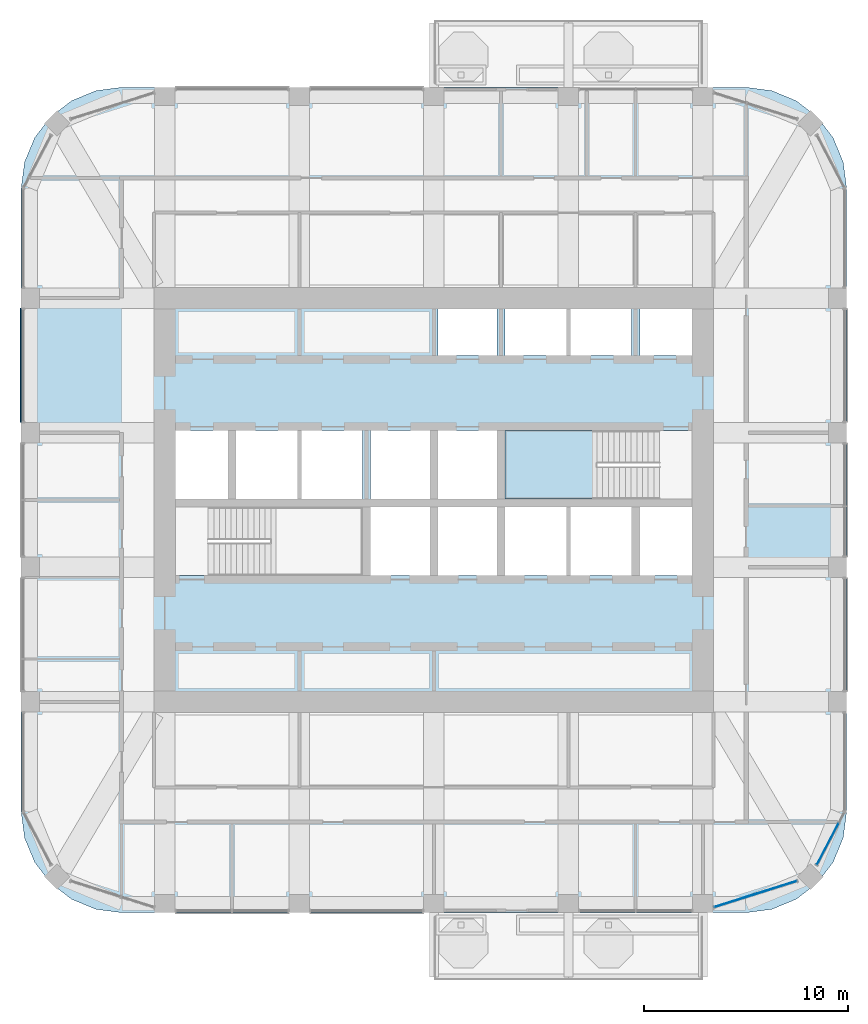
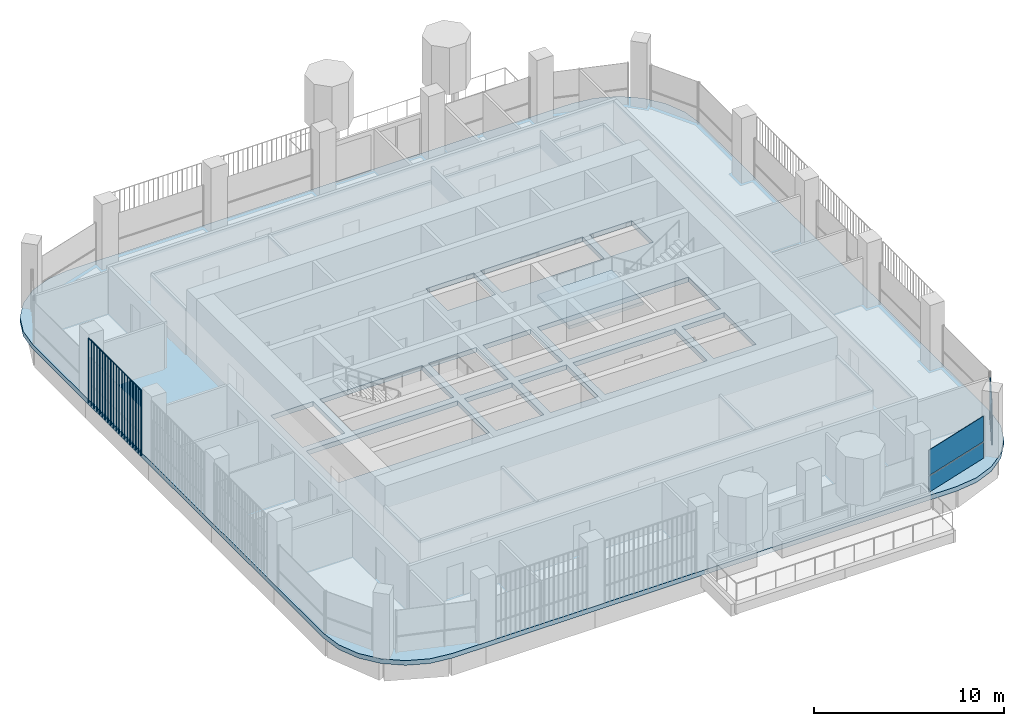
# One storey, part 10 of 21: 5 plates, 2 slabs, 3 elements without a shape of their own.
"""IFC4 building model written with IfcOpenShell, lengths in metres."""

from ifc_helpers import new_model, si_unit, direction, frame, origin, origin_2d, place, context, subcontext, project, spatial, polyline, rectangle, outline, extrude, material, layer, layer_set, type_object, element, aggregate, save


model = new_model("IFC4")

# Units and contexts
model_context = context("Model", 3, precision=1e-05, world=origin(), true_north=direction((0.0, 1.0)))
body_context = subcontext(model_context, "Body", "Model", "MODEL_VIEW")
ifc_project = project(units=[si_unit("LENGTHUNIT", "METRE"), si_unit("AREAUNIT", "SQUARE_METRE"), si_unit("VOLUMEUNIT", "CUBIC_METRE"), si_unit("PLANEANGLEUNIT", "RADIAN"), si_unit("MASSUNIT", "GRAM", prefix="KILO")], contexts=[model_context])

# Site, building, storey
site_placement = place(None, origin())
site = spatial("IfcSite", under=ifc_project, at=site_placement, CompositionType="ELEMENT")
building_placement = place(site_placement, origin())
building = spatial("IfcBuilding", under=site, at=building_placement, Name="Cobogo Forest Laboratory Tower", CompositionType="ELEMENT")
storey_placement = place(building_placement, frame((0.0, 0.0, 283.800048828125)))
storey = spatial("IfcBuildingStorey", under=building, at=storey_placement, Name="L65", CompositionType="ELEMENT", Elevation=283.800048828125)

# Slab
ifc_material_1 = material(Name="Concrete HA-40 (C40/50)", Category="concrete")
ifc_layer_1 = layer(ifc_material_1, 0.300048828125)
ifc_layer_set_1 = layer_set([ifc_layer_1], Name="Floor slab 300")
slab_type_1 = type_object("IfcSlabType", Name="Floor slab 300", PredefinedType="FLOOR", material=ifc_layer_set_1)
slab_1_placement = place(storey_placement, frame((0.0, 0.0, -0.300048828125)))
element("IfcSlab", 1, at=slab_1_placement, inside=storey, type_object=slab_type_1, Name="L65 floor slab", PredefinedType="FLOOR", context=body_context, shape_type="SweptSolid", body=[
    extrude(outline(polyline([(41.699951171875, 2.85009765625), (42.981201171875, 3.0185546875), (44.175048828125, 3.51318359375), (45.2001953125, 4.2998046875), (45.98681640625, 5.324951171875), (46.4814453125, 6.518798828125), (46.64990234375, 7.800048828125), (46.64990234375, 38.39990234375), (46.4814453125, 39.68115234375), (45.98681640625, 40.875), (45.2001953125, 41.900146484375), (44.175048828125, 42.686767578125), (42.981201171875, 43.181396484375), (41.699951171875, 43.35009765625), (11.10009765625, 43.35009765625), (9.81884765625, 43.181396484375), (8.625, 42.686767578125), (7.599853515625, 41.900146484375), (6.813232421875, 40.875), (6.318603515625, 39.68115234375), (6.14990234375, 38.39990234375), (6.14990234375, 7.800048828125), (6.318603515625, 6.518798828125), (6.813232421875, 5.324951171875), (7.599853515625, 4.2998046875), (8.625, 3.51318359375), (9.81884765625, 3.0185546875), (11.10009765625, 2.85009765625), (41.699951171875, 2.85009765625)]), holes=[polyline([(22.89990234375, 19.39990234375), (13.72509765625, 19.39990234375), (13.72509765625, 22.75), (22.89990234375, 22.75), (22.89990234375, 19.39990234375)]), polyline([(26.199951171875, 19.39990234375), (23.300048828125, 19.39990234375), (23.300048828125, 22.75), (26.199951171875, 22.75), (26.199951171875, 19.39990234375)]), polyline([(29.5, 19.39990234375), (26.60009765625, 19.39990234375), (26.60009765625, 22.75), (29.5, 22.75), (29.5, 19.39990234375)]), polyline([(36.10009765625, 22.75), (36.10009765625, 19.39990234375), (29.89990234375, 19.39990234375), (29.89990234375, 22.75), (36.10009765625, 22.75)]), polyline([(39.074951171875, 19.39990234375), (36.5, 19.39990234375), (36.5, 22.75), (39.074951171875, 22.75), (39.074951171875, 19.39990234375)]), polyline([(16.300048828125, 23.14990234375), (13.72509765625, 23.14990234375), (13.72509765625, 26.5), (16.300048828125, 26.5), (16.300048828125, 23.14990234375)]), polyline([(22.89990234375, 26.5), (22.89990234375, 23.14990234375), (16.699951171875, 23.14990234375), (16.699951171875, 26.5), (22.89990234375, 26.5)]), polyline([(26.199951171875, 23.14990234375), (23.300048828125, 23.14990234375), (23.300048828125, 26.5), (26.199951171875, 26.5), (26.199951171875, 23.14990234375)]), polyline([(29.5, 23.14990234375), (26.60009765625, 23.14990234375), (26.60009765625, 26.5), (29.5, 26.5), (29.5, 23.14990234375)]), polyline([(39.074951171875, 23.14990234375), (29.89990234375, 23.14990234375), (29.89990234375, 26.5), (39.074951171875, 26.5), (39.074951171875, 23.14990234375)]), polyline([(29.5, 30.199951171875), (26.60009765625, 30.199951171875), (26.60009765625, 32.47509765625), (29.5, 32.47509765625), (29.5, 30.199951171875)]), polyline([(36.10009765625, 32.47509765625), (36.10009765625, 30.199951171875), (29.89990234375, 30.199951171875), (29.89990234375, 32.47509765625), (36.10009765625, 32.47509765625)]), polyline([(39.074951171875, 30.199951171875), (36.5, 30.199951171875), (36.5, 32.47509765625), (39.074951171875, 32.47509765625), (39.074951171875, 30.199951171875)])]), origin(), (0.0, 0.0, 1.0), 0.300048828125),
])

# Curtain wall, plates
ifc_material_2 = material(Name="Aluminium curtain wall", Category="aluminium")
curtain_wall_type = type_object("IfcCurtainWallType", Name="CW-2 unitised curtain wall, solar control glazing, laboratory floors zones C and D", PredefinedType="USERDEFINED", material=ifc_material_2)
curtain_wall_1_placement = place(storey_placement, origin())
curtain_wall_1 = element("IfcCurtainWall", 2, at=curtain_wall_1_placement, inside=storey, type_object=curtain_wall_type, Name="Curtain wall 05 L65", ObjectType="UNITISED CURTAIN WALL", PredefinedType="USERDEFINED")
ifc_material_3 = material(Name="Solar control insulated glass", Category="glass")
ifc_layer_2 = layer(ifc_material_3, 0.031982421875)
ifc_layer_set_2 = layer_set([ifc_layer_2], Name="GP-2 solar control glass unit 32")
plate_type_1 = type_object("IfcPlateType", Name="GP-2 solar control glass unit 32", PredefinedType="CURTAIN_PANEL", material=ifc_layer_set_2)
plate_1_placement = place(storey_placement, frame((42.17919921875, 3.7646484375, 0.0), z_axis=(0.0, 0.0, 1.0), x_axis=(0.953581379409, 0.301135439371, 0.0)))
plate_1 = element("IfcPlate", 3, at=plate_1_placement, type_object=plate_type_1, Name="CW-2 panel 1.1", PredefinedType="CURTAIN_PANEL", context=body_context, shape_type="SweptSolid", body=[
    extrude(rectangle(XDim=4.240966796875, YDim=0.031982421875, at=origin_2d()), origin(), (0.0, 0.0, 1.0), 1.02001953125),
])
plate_2_placement = place(storey_placement, frame((42.17919921875, 3.7646484375, 1.079833984375), z_axis=(0.0, 0.0, 1.0), x_axis=(0.953581379409, 0.301135439371, 0.0)))
plate_2 = element("IfcPlate", 4, at=plate_2_placement, type_object=plate_type_1, Name="CW-2 panel 1.2", PredefinedType="CURTAIN_PANEL", context=body_context, shape_type="SweptSolid", body=[
    extrude(rectangle(XDim=4.240966796875, YDim=0.031982421875, at=origin_2d()), origin(), (0.0, 0.0, 1.0), 1.6201171875),
])
aggregate(curtain_wall_1, [plate_1, plate_2])

curtain_wall_2_placement = place(storey_placement, origin())
curtain_wall_2 = element("IfcCurtainWall", 5, at=curtain_wall_2_placement, inside=storey, type_object=curtain_wall_type, Name="Curtain wall 06 L65", ObjectType="UNITISED CURTAIN WALL", PredefinedType="USERDEFINED")
plate_3_placement = place(storey_placement, frame((45.72314453125, 6.222900390625, 0.0), z_axis=(0.0, 0.0, 1.0), x_axis=(0.464283778337, 0.885686498245, 0.0)))
plate_3 = element("IfcPlate", 6, at=plate_3_placement, type_object=plate_type_1, Name="CW-2 panel 1.1", PredefinedType="CURTAIN_PANEL", context=body_context, shape_type="SweptSolid", body=[
    extrude(rectangle(XDim=2.28857421875, YDim=0.031982421875, at=origin_2d()), origin(), (0.0, 0.0, 1.0), 1.02001953125),
])
plate_4_placement = place(storey_placement, frame((45.72314453125, 6.222900390625, 1.079833984375), z_axis=(0.0, 0.0, 1.0), x_axis=(0.464283778337, 0.885686498245, 0.0)))
plate_4 = element("IfcPlate", 7, at=plate_4_placement, type_object=plate_type_1, Name="CW-2 panel 1.2", PredefinedType="CURTAIN_PANEL", context=body_context, shape_type="SweptSolid", body=[
    extrude(rectangle(XDim=2.28857421875, YDim=0.031982421875, at=origin_2d()), origin(), (0.0, 0.0, 1.0), 1.6201171875),
])
aggregate(curtain_wall_2, [plate_3, plate_4])

# Stair, slab
ifc_material_4 = material(Name="Precast concrete HA-40 (C40/50)", Category="concrete")
stair_type = type_object("IfcStairType", Name="ST24 exit stair 24 risers", PredefinedType="HALF_TURN_STAIR", material=ifc_material_4)
stair_placement = place(storey_placement, origin())
stair = element("IfcStair", 8, at=stair_placement, inside=storey, type_object=stair_type, Name="Stair 2 L65 to L66", PredefinedType="HALF_TURN_STAIR")
ifc_layer_3 = layer(ifc_material_1, 0.199951171875)
ifc_layer_set_3 = layer_set([ifc_layer_3], Name="SL stair landing 200")
slab_type_2 = type_object("IfcSlabType", Name="SL stair landing 200", PredefinedType="LANDING", material=ifc_layer_set_3)
slab_2_placement = place(storey_placement, frame((0.0, 0.0, 1.89990234375)))
slab_2 = element("IfcSlab", 9, at=slab_2_placement, type_object=slab_type_2, Name="ST2 landing 2", PredefinedType="LANDING", context=body_context, shape_type="SweptSolid", body=[
    extrude(outline(polyline([(29.89990234375, 23.14990234375), (34.39697265625, 23.14990234375), (34.39697265625, 26.5), (29.89990234375, 26.5), (29.89990234375, 23.14990234375)])), origin(), (0.0, 0.0, 1.0), 0.199951171875),
])
aggregate(stair, [slab_2])

# Plate
ifc_material_5 = material(Name="Terracotta", Category="masonry")
plate_type_2 = type_object("IfcPlateType", Name="TB1 terracotta baguette screen", PredefinedType="USERDEFINED", material=ifc_material_5)
plate_5_placement = place(storey_placement, frame((6.1220703125, 26.93115234375, -0.150146484375)))
element("IfcPlate", 10, at=plate_5_placement, inside=storey, type_object=plate_type_2, Name="Baguette screen W3 L65", ObjectType="BAGUETTE SCREEN", PredefinedType="USERDEFINED", context=body_context, shape_type="SweptSolid", body=[
    extrude(outline(polyline([(0.02880859375, 0.011962890625), (0.011962890625, 0.02880859375), (-0.011962890625, 0.02880859375), (-0.02880859375, 0.011962890625), (-0.02880859375, -0.011962890625), (-0.011962890625, -0.02880859375), (0.011962890625, -0.02880859375), (0.02880859375, -0.011962890625), (0.02880859375, 0.011962890625)])), frame((0.0, 0.0, 4.168701171875), z_axis=(0.0, 1.0, 0.0), x_axis=(-1.0, 0.0, 0.0)), (0.0, 0.0, 1.0), 5.53759765625),
    extrude(outline(polyline([(0.02880859375, 0.011962890625), (0.011962890625, 0.02880859375), (-0.011962890625, 0.02880859375), (-0.02880859375, 0.011962890625), (-0.02880859375, -0.011962890625), (-0.011962890625, -0.02880859375), (0.011962890625, -0.02880859375), (0.02880859375, -0.011962890625), (0.02880859375, 0.011962890625)])), origin(), (0.0, 0.0, 1.0), 4.137451171875),
    extrude(outline(polyline([(0.02880859375, 0.011962890625), (0.011962890625, 0.02880859375), (-0.011962890625, 0.02880859375), (-0.02880859375, 0.011962890625), (-0.02880859375, -0.011962890625), (-0.011962890625, -0.02880859375), (0.011962890625, -0.02880859375), (0.02880859375, -0.011962890625), (0.02880859375, 0.011962890625)])), frame((0.0, 0.29150390625, 0.0)), (0.0, 0.0, 1.0), 4.137451171875),
    extrude(outline(polyline([(0.02880859375, 0.011962890625), (0.011962890625, 0.02880859375), (-0.011962890625, 0.02880859375), (-0.02880859375, 0.011962890625), (-0.02880859375, -0.011962890625), (-0.011962890625, -0.02880859375), (0.011962890625, -0.02880859375), (0.02880859375, -0.011962890625), (0.02880859375, 0.011962890625)])), frame((0.0, 0.5830078125, 0.0)), (0.0, 0.0, 1.0), 4.137451171875),
    extrude(outline(polyline([(0.02880859375, 0.011962890625), (0.011962890625, 0.02880859375), (-0.011962890625, 0.02880859375), (-0.02880859375, 0.011962890625), (-0.02880859375, -0.011962890625), (-0.011962890625, -0.02880859375), (0.011962890625, -0.02880859375), (0.02880859375, -0.011962890625), (0.02880859375, 0.011962890625)])), frame((0.0, 0.874267578125, 0.0)), (0.0, 0.0, 1.0), 4.137451171875),
    extrude(outline(polyline([(0.02880859375, 0.011962890625), (0.011962890625, 0.02880859375), (-0.011962890625, 0.02880859375), (-0.02880859375, 0.011962890625), (-0.02880859375, -0.011962890625), (-0.011962890625, -0.02880859375), (0.011962890625, -0.02880859375), (0.02880859375, -0.011962890625), (0.02880859375, 0.011962890625)])), frame((0.0, 1.165771484375, 0.0)), (0.0, 0.0, 1.0), 4.137451171875),
    extrude(outline(polyline([(0.02880859375, 0.011962890625), (0.011962890625, 0.02880859375), (-0.011962890625, 0.02880859375), (-0.02880859375, 0.011962890625), (-0.02880859375, -0.011962890625), (-0.011962890625, -0.02880859375), (0.011962890625, -0.02880859375), (0.02880859375, -0.011962890625), (0.02880859375, 0.011962890625)])), frame((0.0, 1.457275390625, 0.0)), (0.0, 0.0, 1.0), 4.137451171875),
    extrude(outline(polyline([(0.02880859375, 0.011962890625), (0.011962890625, 0.02880859375), (-0.011962890625, 0.02880859375), (-0.02880859375, 0.011962890625), (-0.02880859375, -0.011962890625), (-0.011962890625, -0.02880859375), (0.011962890625, -0.02880859375), (0.02880859375, -0.011962890625), (0.02880859375, 0.011962890625)])), frame((0.0, 1.748779296875, 0.0)), (0.0, 0.0, 1.0), 4.137451171875),
    extrude(outline(polyline([(0.02880859375, 0.011962890625), (0.011962890625, 0.02880859375), (-0.011962890625, 0.02880859375), (-0.02880859375, 0.011962890625), (-0.02880859375, -0.011962890625), (-0.011962890625, -0.02880859375), (0.011962890625, -0.02880859375), (0.02880859375, -0.011962890625), (0.02880859375, 0.011962890625)])), frame((0.0, 2.040283203125, 0.0)), (0.0, 0.0, 1.0), 4.137451171875),
    extrude(outline(polyline([(0.02880859375, 0.011962890625), (0.011962890625, 0.02880859375), (-0.011962890625, 0.02880859375), (-0.02880859375, 0.011962890625), (-0.02880859375, -0.011962890625), (-0.011962890625, -0.02880859375), (0.011962890625, -0.02880859375), (0.02880859375, -0.011962890625), (0.02880859375, 0.011962890625)])), frame((0.0, 2.33154296875, 0.0)), (0.0, 0.0, 1.0), 4.137451171875),
    extrude(outline(polyline([(0.02880859375, 0.011962890625), (0.011962890625, 0.02880859375), (-0.011962890625, 0.02880859375), (-0.02880859375, 0.011962890625), (-0.02880859375, -0.011962890625), (-0.011962890625, -0.02880859375), (0.011962890625, -0.02880859375), (0.02880859375, -0.011962890625), (0.02880859375, 0.011962890625)])), frame((0.0, 2.623046875, 0.0)), (0.0, 0.0, 1.0), 4.137451171875),
    extrude(outline(polyline([(0.02880859375, 0.011962890625), (0.011962890625, 0.02880859375), (-0.011962890625, 0.02880859375), (-0.02880859375, 0.011962890625), (-0.02880859375, -0.011962890625), (-0.011962890625, -0.02880859375), (0.011962890625, -0.02880859375), (0.02880859375, -0.011962890625), (0.02880859375, 0.011962890625)])), frame((0.0, 2.91455078125, 0.0)), (0.0, 0.0, 1.0), 4.137451171875),
    extrude(outline(polyline([(0.02880859375, 0.011962890625), (0.011962890625, 0.02880859375), (-0.011962890625, 0.02880859375), (-0.02880859375, 0.011962890625), (-0.02880859375, -0.011962890625), (-0.011962890625, -0.02880859375), (0.011962890625, -0.02880859375), (0.02880859375, -0.011962890625), (0.02880859375, 0.011962890625)])), frame((0.0, 3.2060546875, 0.0)), (0.0, 0.0, 1.0), 4.137451171875),
    extrude(outline(polyline([(0.02880859375, 0.011962890625), (0.011962890625, 0.02880859375), (-0.011962890625, 0.02880859375), (-0.02880859375, 0.011962890625), (-0.02880859375, -0.011962890625), (-0.011962890625, -0.02880859375), (0.011962890625, -0.02880859375), (0.02880859375, -0.011962890625), (0.02880859375, 0.011962890625)])), frame((0.0, 3.497314453125, 0.0)), (0.0, 0.0, 1.0), 4.137451171875),
    extrude(outline(polyline([(0.02880859375, 0.011962890625), (0.011962890625, 0.02880859375), (-0.011962890625, 0.02880859375), (-0.02880859375, 0.011962890625), (-0.02880859375, -0.011962890625), (-0.011962890625, -0.02880859375), (0.011962890625, -0.02880859375), (0.02880859375, -0.011962890625), (0.02880859375, 0.011962890625)])), frame((0.0, 3.788818359375, 0.0)), (0.0, 0.0, 1.0), 4.137451171875),
    extrude(outline(polyline([(0.02880859375, 0.011962890625), (0.011962890625, 0.02880859375), (-0.011962890625, 0.02880859375), (-0.02880859375, 0.011962890625), (-0.02880859375, -0.011962890625), (-0.011962890625, -0.02880859375), (0.011962890625, -0.02880859375), (0.02880859375, -0.011962890625), (0.02880859375, 0.011962890625)])), frame((0.0, 4.080322265625, 0.0)), (0.0, 0.0, 1.0), 4.137451171875),
    extrude(outline(polyline([(0.02880859375, 0.011962890625), (0.011962890625, 0.02880859375), (-0.011962890625, 0.02880859375), (-0.02880859375, 0.011962890625), (-0.02880859375, -0.011962890625), (-0.011962890625, -0.02880859375), (0.011962890625, -0.02880859375), (0.02880859375, -0.011962890625), (0.02880859375, 0.011962890625)])), frame((0.0, 4.371826171875, 0.0)), (0.0, 0.0, 1.0), 4.137451171875),
    extrude(outline(polyline([(0.02880859375, 0.011962890625), (0.011962890625, 0.02880859375), (-0.011962890625, 0.02880859375), (-0.02880859375, 0.011962890625), (-0.02880859375, -0.011962890625), (-0.011962890625, -0.02880859375), (0.011962890625, -0.02880859375), (0.02880859375, -0.011962890625), (0.02880859375, 0.011962890625)])), frame((0.0, 4.663330078125, 0.0)), (0.0, 0.0, 1.0), 4.137451171875),
    extrude(outline(polyline([(0.02880859375, 0.011962890625), (0.011962890625, 0.02880859375), (-0.011962890625, 0.02880859375), (-0.02880859375, 0.011962890625), (-0.02880859375, -0.011962890625), (-0.011962890625, -0.02880859375), (0.011962890625, -0.02880859375), (0.02880859375, -0.011962890625), (0.02880859375, 0.011962890625)])), frame((0.0, 4.95458984375, 0.0)), (0.0, 0.0, 1.0), 4.137451171875),
    extrude(outline(polyline([(0.02880859375, 0.011962890625), (0.011962890625, 0.02880859375), (-0.011962890625, 0.02880859375), (-0.02880859375, 0.011962890625), (-0.02880859375, -0.011962890625), (-0.011962890625, -0.02880859375), (0.011962890625, -0.02880859375), (0.02880859375, -0.011962890625), (0.02880859375, 0.011962890625)])), frame((0.0, 5.24609375, 0.0)), (0.0, 0.0, 1.0), 4.137451171875),
    extrude(outline(polyline([(0.02880859375, 0.011962890625), (0.011962890625, 0.02880859375), (-0.011962890625, 0.02880859375), (-0.02880859375, 0.011962890625), (-0.02880859375, -0.011962890625), (-0.011962890625, -0.02880859375), (0.011962890625, -0.02880859375), (0.02880859375, -0.011962890625), (0.02880859375, 0.011962890625)])), frame((0.0, 5.53759765625, 0.0)), (0.0, 0.0, 1.0), 4.137451171875),
])

save(model, "model.ifc")
